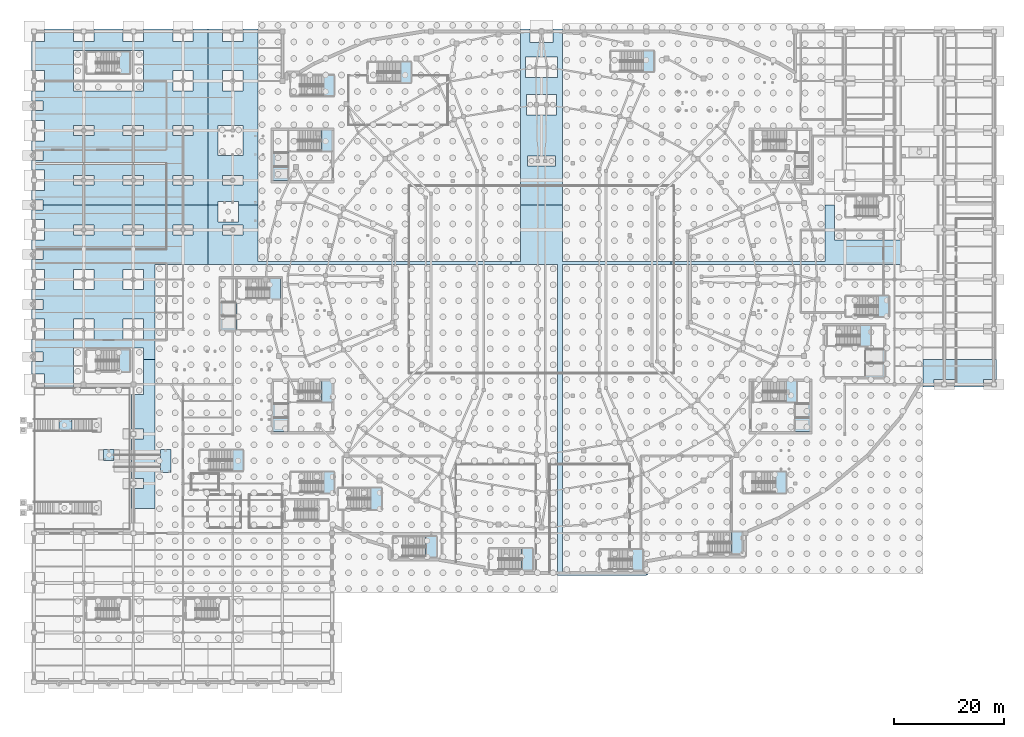
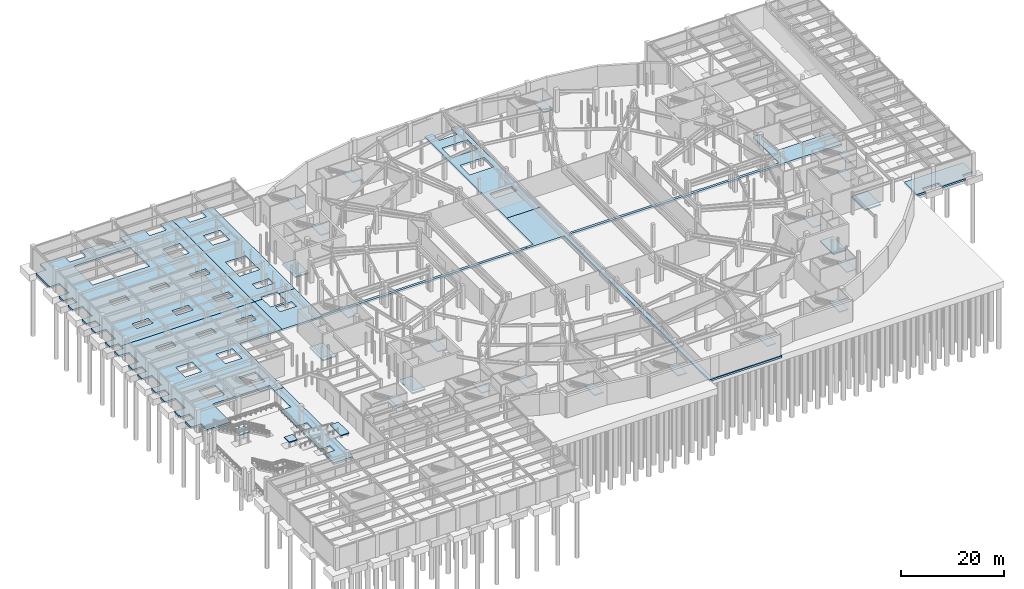
# One storey, part 39 of 56: 36 slabs, 22 elements without a shape of their own.
"""IFC4 building model written with IfcOpenShell, lengths in metres."""

from ifc_helpers import new_model, si_unit, direction, frame, origin, place, context, subcontext, project, spatial, polyline, outline, extrude, material, layer, layer_set, type_object, element, aggregate, save


model = new_model("IFC4")

# Units and contexts
model_context = context("Model", 3, precision=1e-05, world=origin(), true_north=direction((0.0, 1.0)))
body_context = subcontext(model_context, "Body", "Model", "MODEL_VIEW")
ifc_project = project(units=[si_unit("LENGTHUNIT", "METRE"), si_unit("AREAUNIT", "SQUARE_METRE"), si_unit("VOLUMEUNIT", "CUBIC_METRE"), si_unit("PLANEANGLEUNIT", "RADIAN"), si_unit("MASSUNIT", "GRAM", prefix="KILO")], contexts=[model_context])

# Site, building, storey
site_placement = place(None, origin())
site = spatial("IfcSite", under=ifc_project, at=site_placement, CompositionType="ELEMENT")
building_placement = place(site_placement, origin())
building = spatial("IfcBuilding", under=site, at=building_placement, Name="Glasvene Arena", CompositionType="ELEMENT")
storey_placement = place(building_placement, frame((0.0, 0.0, -5.39990234375)))
storey = spatial("IfcBuildingStorey", under=building, at=storey_placement, Name="B1", CompositionType="ELEMENT", Elevation=-5.39990234375)

# Slabs
ifc_material_1 = material(Name="Concrete C40/50", Category="concrete")
ifc_layer_1 = layer(ifc_material_1, 0.449951171875)
ifc_layer_set_1 = layer_set([ifc_layer_1], Name="Concrete C40/50")
slab_type_1 = type_object("IfcSlabType", Name="SL-B1-450", PredefinedType="BASESLAB", material=ifc_layer_set_1)
slab_1_placement = place(storey_placement, frame((19.164306640625, 43.449951171875, -0.4501953125)))
element("IfcSlab", 1, at=slab_1_placement, inside=storey, type_object=slab_type_1, Name="Structural floor slab B1 sector 2-1 (3)", PredefinedType="BASESLAB", context=body_context, shape_type="SweptSolid", body=[
    extrude(outline(polyline([(2.78564453125, -11.949951171875), (-1.6142578125, -11.949951171875), (-1.6142578125, -8.349853515625), (0.685791015625, -8.349853515625), (0.685791015625, -6.550048828125), (-1.6142578125, -6.550048828125), (-1.6142578125, 0.650146484375), (0.685791015625, 0.650146484375), (0.685791015625, 2.449951171875), (-1.6142578125, 2.449951171875), (-1.6142578125, 8.699951171875), (0.685791015625, 8.699951171875), (0.685791015625, 15.050048828125), (2.78564453125, 15.050048828125), (2.78564453125, -11.949951171875)])), origin(), (0.0, 0.0, 1.0), 0.4501953125),
])
slab_2_placement = place(storey_placement, frame((167.56005859375, 55.080078125, -0.4501953125)))
element("IfcSlab", 2, at=slab_2_placement, inside=storey, type_object=slab_type_1, Name="Structural floor slab B1 sector 2-6 (4)", PredefinedType="BASESLAB", context=body_context, shape_type="SweptSolid", body=[
    extrude(outline(polyline([(6.889892578125, -0.18017578125), (4.58984375, -0.18017578125), (4.58984375, -1.530029296875), (-0.7099609375, -1.530029296875), (-0.7099609375, -0.18017578125), (-4.41015625, -0.18017578125), (-4.41015625, -1.530029296875), (-6.360107421875, -1.530029296875), (-6.360107421875, 3.419921875), (6.889892578125, 3.419921875), (6.889892578125, -0.18017578125)])), origin(), (0.0, 0.0, 1.0), 0.4501953125),
])
slab_3_placement = place(storey_placement, frame((4.792724609375, 69.69873046875, -0.4501953125)))
element("IfcSlab", 3, at=slab_3_placement, inside=storey, type_object=slab_type_1, Name="Structural floor slab B1 sector 3-1 (5)", PredefinedType="BASESLAB", context=body_context, shape_type="SweptSolid", body=[
    extrude(outline(polyline([(-5.24267578125, -13.8486328125), (-5.24267578125, -11.5986328125), (-3.20263671875, -11.5986328125), (-3.20263671875, -9.798828125), (-5.24267578125, -9.798828125), (-5.24267578125, -7.548828125), (-2.942626953125, -7.548828125), (-2.942626953125, -3.8486328125), (-5.24267578125, -3.8486328125), (-5.24267578125, -2.0986328125), (-3.20263671875, -2.0986328125), (-3.20263671875, -0.298828125), (-5.24267578125, -0.298828125), (-5.24267578125, 1.451171875), (-2.942626953125, 1.451171875), (-2.942626953125, 5.1513671875), (-5.24267578125, 5.1513671875), (-5.24267578125, 6.9013671875), (-3.20263671875, 6.9013671875), (-3.20263671875, 8.701171875), (-5.24267578125, 8.701171875), (-5.24267578125, 10.451171875), (-2.942626953125, 10.451171875), (-2.942626953125, 14.1513671875), (-5.24267578125, 14.1513671875), (-5.24267578125, 15.9013671875), (-3.20263671875, 15.9013671875), (-3.20263671875, 16.80126953125), (26.707275390625, 16.80126953125), (26.707275390625, 6.025390625), (17.1572265625, 6.025390625), (17.1572265625, -11.19873046875), (15.057373046875, -11.19873046875), (15.057373046875, -9.148681640625), (2.357177734375, -9.148681640625), (2.357177734375, -16.148681640625), (-2.942626953125, -16.148681640625), (-2.942626953125, -13.8486328125), (-5.24267578125, -13.8486328125)]), holes=[polyline([(24.057373046875, 11.4013671875), (24.057373046875, 13.201171875), (20.357177734375, 13.201171875), (20.357177734375, 11.4013671875), (24.057373046875, 11.4013671875)]), polyline([(15.057373046875, -7.548828125), (15.057373046875, -3.8486328125), (11.357177734375, -3.8486328125), (11.357177734375, -7.548828125), (15.057373046875, -7.548828125)]), polyline([(15.057373046875, 1.451171875), (15.057373046875, 5.1513671875), (11.357177734375, 5.1513671875), (11.357177734375, 1.451171875), (15.057373046875, 1.451171875)]), polyline([(15.057373046875, 13.201171875), (11.357177734375, 13.201171875), (11.357177734375, 11.4013671875), (15.057373046875, 11.4013671875), (15.057373046875, 13.201171875)]), polyline([(6.057373046875, -7.548828125), (6.057373046875, -3.8486328125), (2.357177734375, -3.8486328125), (2.357177734375, -7.548828125), (6.057373046875, -7.548828125)]), polyline([(6.057373046875, 1.451171875), (6.057373046875, 5.1513671875), (2.357177734375, 5.1513671875), (2.357177734375, 1.451171875), (6.057373046875, 1.451171875)]), polyline([(6.057373046875, 11.4013671875), (6.057373046875, 13.201171875), (2.357177734375, 13.201171875), (2.357177734375, 11.4013671875), (6.057373046875, 11.4013671875)])]), origin(), (0.0, 0.0, 1.0), 0.4501953125),
])
slab_4_placement = place(storey_placement, frame((45.793212890625, 81.693603515625, -0.4501953125)))
element("IfcSlab", 4, at=slab_4_placement, inside=storey, type_object=slab_type_1, Name="Structural floor slab B1 sector 3-2 (6)", PredefinedType="BASESLAB", context=body_context, shape_type="SweptSolid", body=[
    extrude(outline(polyline([(40.706787109375, -5.969482421875), (-14.293212890625, -5.969482421875), (-14.293212890625, 4.806396484375), (-12.443115234375, 4.806396484375), (-12.443115234375, 1.75634765625), (-8.7431640625, 1.75634765625), (-8.7431640625, 4.806396484375), (-5.227294921875, 4.806396484375), (-5.227294921875, -5.399658203125), (40.706787109375, -5.399658203125), (40.706787109375, -5.969482421875)]), holes=[polyline([(-7.943115234375, 1.206298828125), (-11.643310546875, 1.206298828125), (-11.643310546875, -0.593505859375), (-7.943115234375, -0.593505859375), (-7.943115234375, 1.206298828125)])]), origin(), (0.0, 0.0, 1.0), 0.4501953125),
])
slab_5_placement = place(storey_placement, frame((104.210205078125, 42.022216796875, -0.4501953125)))
element("IfcSlab", 5, at=slab_5_placement, inside=storey, type_object=slab_type_1, Name="Structural floor slab B1 sector 3-4 (7)", PredefinedType="BASESLAB", context=body_context, shape_type="SweptSolid", body=[
    extrude(outline(polyline([(7.10546875, -22.39453125), (7.086669921875, -22.434326171875), (7.06396484375, -22.47216796875), (7.03759765625, -22.5078125), (7.008056640625, -22.54052734375), (6.975341796875, -22.570068359375), (6.939697265625, -22.596435546875), (6.90185546875, -22.619140625), (6.862060546875, -22.637939453125), (6.8203125, -22.65283203125), (6.777587890625, -22.66357421875), (6.73388671875, -22.669921875), (6.689697265625, -22.672119140625), (-9.316162109375, -22.672119140625), (-9.316162109375, 33.701904296875), (-17.710205078125, 33.701904296875), (-17.710205078125, 34.271728515625), (-16.018310546875, 34.271728515625), (-16.018310546875, 44.477783203125), (-8.402099609375, 44.477783203125), (-8.402099609375, 34.271728515625), (11.289794921875, 34.271728515625), (11.289794921875, 33.701904296875), (-8.402099609375, 33.701904296875), (-8.402099609375, -22.372314453125), (7.113525390625, -22.372314453125), (7.10546875, -22.39453125)])), origin(), (0.0, 0.0, 1.0), 0.4501953125),
])
slab_6_placement = place(storey_placement, frame((140.321044921875, 79.6669921875, -0.4501953125)))
element("IfcSlab", 6, at=slab_6_placement, inside=storey, type_object=slab_type_1, Name="Structural floor slab B1 sector 3-6 (9)", PredefinedType="BASESLAB", context=body_context, shape_type="SweptSolid", body=[
    extrude(outline(polyline([(16.87890625, -3.94287109375), (-24.821044921875, -3.94287109375), (-24.821044921875, -3.373046875), (3.113037109375, -3.373046875), (3.113037109375, 6.8330078125), (4.828857421875, 6.8330078125), (4.828857421875, 0.48291015625), (16.87890625, 0.48291015625), (16.87890625, -3.94287109375)])), origin(), (0.0, 0.0, 1.0), 0.4501953125),
])
slab_7_placement = place(storey_placement, frame((7.448486328125, 105.614990234375, -0.4501953125)))
element("IfcSlab", 7, at=slab_7_placement, inside=storey, type_object=slab_type_1, Name="Structural floor slab B1 sector 4-1 (10)", PredefinedType="BASESLAB", context=body_context, shape_type="SweptSolid", body=[
    extrude(outline(polyline([(-5.8583984375, -18.215087890625), (-7.8984375, -18.215087890625), (-7.8984375, -16.465087890625), (-5.598388671875, -16.465087890625), (-5.598388671875, -12.764892578125), (-7.8984375, -12.764892578125), (-7.8984375, -11.014892578125), (-5.8583984375, -11.014892578125), (-5.8583984375, -9.215087890625), (-7.8984375, -9.215087890625), (-7.8984375, -7.465087890625), (-5.598388671875, -7.465087890625), (-5.598388671875, -3.764892578125), (-7.8984375, -3.764892578125), (-7.8984375, -2.014892578125), (-5.8583984375, -2.014892578125), (-5.8583984375, -0.215087890625), (-7.8984375, -0.215087890625), (-7.8984375, 1.534912109375), (-5.598388671875, 1.534912109375), (-5.598388671875, 5.235107421875), (-7.8984375, 5.235107421875), (-7.8984375, 10.534912109375), (-5.598388671875, 10.534912109375), (-5.598388671875, 12.8349609375), (-0.298583984375, 12.8349609375), (-0.298583984375, 10.534912109375), (3.401611328125, 10.534912109375), (3.401611328125, 12.8349609375), (8.701416015625, 12.8349609375), (8.701416015625, 10.534912109375), (12.401611328125, 10.534912109375), (12.401611328125, 12.8349609375), (17.701416015625, 12.8349609375), (17.701416015625, 10.534912109375), (21.401611328125, 10.534912109375), (21.401611328125, 12.8349609375), (24.051513671875, 12.8349609375), (24.051513671875, -19.114990234375), (-5.8583984375, -19.114990234375), (-5.8583984375, -18.215087890625)]), holes=[polyline([(3.401611328125, -15.514892578125), (3.401611328125, -13.715087890625), (-0.298583984375, -13.715087890625), (-0.298583984375, -15.514892578125), (3.401611328125, -15.514892578125)]), polyline([(-0.298583984375, -6.514892578125), (3.401611328125, -6.514892578125), (3.401611328125, -4.715087890625), (-0.298583984375, -4.715087890625), (-0.298583984375, -6.514892578125)]), polyline([(8.701416015625, -15.514892578125), (12.401611328125, -15.514892578125), (12.401611328125, -13.715087890625), (8.701416015625, -13.715087890625), (8.701416015625, -15.514892578125)]), polyline([(8.701416015625, -6.514892578125), (12.401611328125, -6.514892578125), (12.401611328125, -4.715087890625), (8.701416015625, -4.715087890625), (8.701416015625, -6.514892578125)]), polyline([(17.701416015625, -6.514892578125), (21.401611328125, -6.514892578125), (21.401611328125, -4.715087890625), (17.701416015625, -4.715087890625), (17.701416015625, -6.514892578125)]), polyline([(17.701416015625, 1.534912109375), (21.401611328125, 1.534912109375), (21.401611328125, 5.235107421875), (17.701416015625, 5.235107421875), (17.701416015625, 1.534912109375)]), polyline([(-0.298583984375, 1.534912109375), (12.401611328125, 1.534912109375), (12.401611328125, 8.93505859375), (-0.298583984375, 8.93505859375), (-0.298583984375, 1.534912109375)]), polyline([(17.701416015625, -15.514892578125), (21.401611328125, -15.514892578125), (21.401611328125, -13.715087890625), (17.701416015625, -13.715087890625), (17.701416015625, -15.514892578125)])]), origin(), (0.0, 0.0, 1.0), 0.4501953125),
])
slab_8_placement = place(storey_placement, frame((35.744384765625, 102.199951171875, -0.4501953125)))
element("IfcSlab", 8, at=slab_8_placement, inside=storey, type_object=slab_type_1, Name="Structural floor slab B1 sector 4-2 (11)", PredefinedType="BASESLAB", context=body_context, shape_type="SweptSolid", body=[
    extrude(outline(polyline([(-1.594482421875, 16.25), (-1.594482421875, 13.949951171875), (2.105712890625, 13.949951171875), (2.105712890625, 16.25), (4.821533203125, 16.25), (4.821533203125, -15.699951171875), (1.3056640625, -15.699951171875), (1.3056640625, -15.050048828125), (-2.394287109375, -15.050048828125), (-2.394287109375, -15.699951171875), (-4.244384765625, -15.699951171875), (-4.244384765625, 16.25), (-1.594482421875, 16.25)]), holes=[polyline([(-1.594482421875, -12.099853515625), (2.105712890625, -12.099853515625), (2.105712890625, -10.300048828125), (-1.594482421875, -10.300048828125), (-1.594482421875, -12.099853515625)]), polyline([(-2.394287109375, -6.75), (2.105712890625, -6.75), (2.105712890625, -1.300048828125), (-2.394287109375, -1.300048828125), (-2.394287109375, -6.75)]), polyline([(-1.594482421875, 4.949951171875), (2.105712890625, 4.949951171875), (2.105712890625, 8.650146484375), (-1.594482421875, 8.650146484375), (-1.594482421875, 4.949951171875)])]), origin(), (0.0, 0.0, 1.0), 0.4501953125),
])
slab_9_placement = place(storey_placement, frame((92.0, 109.83740234375, -0.4501953125)))
element("IfcSlab", 9, at=slab_9_placement, inside=storey, type_object=slab_type_1, Name="Structural floor slab B1 sector 4-4 (12)", PredefinedType="BASESLAB", context=body_context, shape_type="SweptSolid", body=[
    extrude(outline(polyline([(-3.80810546875, 8.612548828125), (-2.050048828125, 8.612548828125), (-2.050048828125, 6.112548828125), (2.050048828125, 6.112548828125), (2.050048828125, 8.612548828125), (3.80810546875, 8.612548828125), (3.80810546875, -23.33740234375), (-3.80810546875, -23.33740234375), (-3.80810546875, 8.612548828125)]), holes=[polyline([(-2.508056640625, -16.243408203125), (2.508056640625, -16.243408203125), (2.508056640625, -14.4423828125), (-2.508056640625, -14.4423828125), (-2.508056640625, -16.243408203125)]), polyline([(-2.739013671875, -6.995361328125), (2.739013671875, -6.995361328125), (2.739013671875, -3.29541015625), (-2.739013671875, -3.29541015625), (-2.739013671875, -6.995361328125)]), polyline([(-2.89404296875, -0.197509765625), (2.89404296875, -0.197509765625), (2.89404296875, 3.502685546875), (-2.89404296875, 3.502685546875), (-2.89404296875, -0.197509765625)])]), origin(), (0.0, 0.0, 1.0), 0.4501953125),
])

# Stair, slab
stair_type_1 = type_object("IfcStairType", Name="ST-HT-540-170", PredefinedType="HALF_TURN_STAIR", material=ifc_material_1)
stair_1_placement = place(storey_placement, origin())
stair_1 = element("IfcStair", 10, at=stair_1_placement, inside=storey, type_object=stair_type_1, Name="Protected escape stair ST-01 (B1 to L00)", PredefinedType="HALF_TURN_STAIR")
ifc_layer_2 = layer(ifc_material_1, 0.219970703125)
ifc_layer_set_2 = layer_set([ifc_layer_2], Name="Concrete C40/50")
slab_type_2 = type_object("IfcSlabType", Name="SL-LAND-220", PredefinedType="LANDING", material=ifc_layer_set_2)
slab_10_placement = place(storey_placement, frame((53.050048828125, 98.175048828125, 2.47998046875)))
slab_10 = element("IfcSlab", 11, at=slab_10_placement, type_object=slab_type_2, Name="Protected escape stair ST-01 (B1 to L00) landing 1", PredefinedType="LANDING", context=body_context, shape_type="SweptSolid", body=[
    extrude(outline(polyline([(-1.0, -1.925048828125), (1.0, -1.925048828125), (1.0, 1.925048828125), (-1.0, 1.925048828125), (-1.0, -1.925048828125)])), origin(), (0.0, 0.0, 1.0), 0.219970703125),
])
aggregate(stair_1, [slab_10])

stair_2_placement = place(storey_placement, origin())
stair_2 = element("IfcStair", 12, at=stair_2_placement, inside=storey, type_object=stair_type_1, Name="Protected escape stair ST-03 (B1 to L00)", PredefinedType="HALF_TURN_STAIR")
slab_11_placement = place(storey_placement, frame((53.050048828125, 52.675048828125, 2.47998046875)))
slab_11 = element("IfcSlab", 13, at=slab_11_placement, type_object=slab_type_2, Name="Protected escape stair ST-03 (B1 to L00) landing 1", PredefinedType="LANDING", context=body_context, shape_type="SweptSolid", body=[
    extrude(outline(polyline([(-1.0, -1.925048828125), (1.0, -1.925048828125), (1.0, 1.925048828125), (-1.0, 1.925048828125), (-1.0, -1.925048828125)])), origin(), (0.0, 0.0, 1.0), 0.219970703125),
])
aggregate(stair_2, [slab_11])

stair_3_placement = place(storey_placement, origin())
stair_3 = element("IfcStair", 14, at=stair_3_placement, inside=storey, type_object=stair_type_1, Name="Protected escape stair ST-04 (B1 to L00)", PredefinedType="HALF_TURN_STAIR")
slab_12_placement = place(storey_placement, frame((137.300048828125, 52.675048828125, 2.47998046875)))
slab_12 = element("IfcSlab", 15, at=slab_12_placement, type_object=slab_type_2, Name="Protected escape stair ST-04 (B1 to L00) landing 1", PredefinedType="LANDING", context=body_context, shape_type="SweptSolid", body=[
    extrude(outline(polyline([(-1.0, -1.925048828125), (1.0, -1.925048828125), (1.0, 1.925048828125), (-1.0, 1.925048828125), (-1.0, -1.925048828125)])), origin(), (0.0, 0.0, 1.0), 0.219970703125),
])
aggregate(stair_3, [slab_12])

stair_4_placement = place(storey_placement, origin())
stair_4 = element("IfcStair", 16, at=stair_4_placement, inside=storey, type_object=stair_type_1, Name="Protected escape stair ST-05 (B1 to L00)", PredefinedType="HALF_TURN_STAIR")
slab_13_placement = place(storey_placement, frame((53.39990234375, 36.22509765625, 2.47998046875)))
slab_13 = element("IfcSlab", 17, at=slab_13_placement, type_object=slab_type_2, Name="Protected escape stair ST-05 (B1 to L00) landing 1", PredefinedType="LANDING", context=body_context, shape_type="SweptSolid", body=[
    extrude(outline(polyline([(-1.0, -1.925048828125), (1.0, -1.925048828125), (1.0, 1.9248046875), (-1.0, 1.9248046875), (-1.0, -1.925048828125)])), origin(), (0.0, 0.0, 1.0), 0.219970703125),
])
aggregate(stair_4, [slab_13])

stair_5_placement = place(storey_placement, origin())
stair_5 = element("IfcStair", 18, at=stair_5_placement, inside=storey, type_object=stair_type_1, Name="Protected escape stair ST-06 (B1 to L00)", PredefinedType="HALF_TURN_STAIR")
slab_14_placement = place(storey_placement, frame((135.39990234375, 36.22509765625, 2.47998046875)))
slab_14 = element("IfcSlab", 19, at=slab_14_placement, type_object=slab_type_2, Name="Protected escape stair ST-06 (B1 to L00) landing 1", PredefinedType="LANDING", context=body_context, shape_type="SweptSolid", body=[
    extrude(outline(polyline([(-1.0, -1.925048828125), (1.0, -1.925048828125), (1.0, 1.9248046875), (-1.0, 1.9248046875), (-1.0, -1.925048828125)])), origin(), (0.0, 0.0, 1.0), 0.219970703125),
])
aggregate(stair_5, [slab_14])

stair_type_2 = type_object("IfcStairType", Name="ST-HT-540-165", PredefinedType="HALF_TURN_STAIR", material=ifc_material_1)
stair_6_placement = place(storey_placement, origin())
stair_6 = element("IfcStair", 20, at=stair_6_placement, inside=storey, type_object=stair_type_2, Name="Protected escape stair ST-07 (B1 to L00)", PredefinedType="HALF_TURN_STAIR")
slab_15_placement = place(storey_placement, frame((43.64990234375, 71.324951171875, 2.47998046875)))
slab_15 = element("IfcSlab", 21, at=slab_15_placement, type_object=slab_type_2, Name="Protected escape stair ST-07 (B1 to L00) landing 1", PredefinedType="LANDING", context=body_context, shape_type="SweptSolid", body=[
    extrude(outline(polyline([(-1.0, -1.875), (1.0, -1.875), (1.0, 1.875), (-1.0, 1.875), (-1.0, -1.875)])), origin(), (0.0, 0.0, 1.0), 0.219970703125),
])
aggregate(stair_6, [slab_15])

stair_7_placement = place(storey_placement, origin())
stair_7 = element("IfcStair", 22, at=stair_7_placement, inside=storey, type_object=stair_type_2, Name="Protected escape stair ST-08 (B1 to L00)", PredefinedType="HALF_TURN_STAIR")
slab_16_placement = place(storey_placement, frame((72.0, 24.574951171875, 2.47998046875)))
slab_16 = element("IfcSlab", 23, at=slab_16_placement, type_object=slab_type_2, Name="Protected escape stair ST-08 (B1 to L00) landing 1", PredefinedType="LANDING", context=body_context, shape_type="SweptSolid", body=[
    extrude(outline(polyline([(-1.0, -1.875), (1.0, -1.875), (1.0, 1.875), (-1.0, 1.875), (-1.0, -1.875)])), origin(), (0.0, 0.0, 1.0), 0.219970703125),
])
aggregate(stair_7, [slab_16])

stair_8_placement = place(storey_placement, origin())
stair_8 = element("IfcStair", 24, at=stair_8_placement, inside=storey, type_object=stair_type_2, Name="Protected escape stair ST-09 (B1 to L00)", PredefinedType="HALF_TURN_STAIR")
slab_17_placement = place(storey_placement, frame((109.39990234375, 22.175048828125, 2.47998046875)))
slab_17 = element("IfcSlab", 25, at=slab_17_placement, type_object=slab_type_2, Name="Protected escape stair ST-09 (B1 to L00) landing 1", PredefinedType="LANDING", context=body_context, shape_type="SweptSolid", body=[
    extrude(outline(polyline([(-1.0, -1.875), (1.0, -1.875), (1.0, 1.875), (-1.0, 1.875), (-1.0, -1.875)])), origin(), (0.0, 0.0, 1.0), 0.219970703125),
])
aggregate(stair_8, [slab_17])

stair_9_placement = place(storey_placement, origin())
stair_9 = element("IfcStair", 26, at=stair_9_placement, inside=storey, type_object=stair_type_2, Name="Protected escape stair ST-10 (B1 to L00)", PredefinedType="HALF_TURN_STAIR")
slab_18_placement = place(storey_placement, frame((67.39990234375, 110.574951171875, 2.47998046875)))
slab_18 = element("IfcSlab", 27, at=slab_18_placement, type_object=slab_type_2, Name="Protected escape stair ST-10 (B1 to L00) landing 1", PredefinedType="LANDING", context=body_context, shape_type="SweptSolid", body=[
    extrude(outline(polyline([(-1.0, -1.875), (1.0, -1.875), (1.0, 1.875), (-1.0, 1.875), (-1.0, -1.875)])), origin(), (0.0, 0.0, 1.0), 0.219970703125),
])
aggregate(stair_9, [slab_18])

stair_10_placement = place(storey_placement, origin())
stair_10 = element("IfcStair", 28, at=stair_10_placement, inside=storey, type_object=stair_type_2, Name="Protected escape stair ST-11 (B1 to L00)", PredefinedType="HALF_TURN_STAIR")
slab_19_placement = place(storey_placement, frame((111.39990234375, 112.574951171875, 2.47998046875)))
slab_19 = element("IfcSlab", 29, at=slab_19_placement, type_object=slab_type_2, Name="Protected escape stair ST-11 (B1 to L00) landing 1", PredefinedType="LANDING", context=body_context, shape_type="SweptSolid", body=[
    extrude(outline(polyline([(-1.0, -1.875), (1.0, -1.875), (1.0, 1.875), (-1.0, 1.875), (-1.0, -1.875)])), origin(), (0.0, 0.0, 1.0), 0.219970703125),
])
aggregate(stair_10, [slab_19])

stair_11_placement = place(storey_placement, origin())
stair_11 = element("IfcStair", 30, at=stair_11_placement, inside=storey, type_object=stair_type_2, Name="Protected escape stair ST-12 (B1 to L00)", PredefinedType="HALF_TURN_STAIR")
slab_20_placement = place(storey_placement, frame((53.39990234375, 108.175048828125, 2.47998046875)))
slab_20 = element("IfcSlab", 31, at=slab_20_placement, type_object=slab_type_2, Name="Protected escape stair ST-12 (B1 to L00) landing 1", PredefinedType="LANDING", context=body_context, shape_type="SweptSolid", body=[
    extrude(outline(polyline([(-1.0, -1.875), (1.0, -1.875), (1.0, 1.875), (-1.0, 1.875), (-1.0, -1.875)])), origin(), (0.0, 0.0, 1.0), 0.219970703125),
])
aggregate(stair_11, [slab_20])

stair_type_3 = type_object("IfcStairType", Name="ST-HT-540-175", PredefinedType="HALF_TURN_STAIR", material=ifc_material_1)
stair_12_placement = place(storey_placement, origin())
stair_12 = element("IfcStair", 32, at=stair_12_placement, inside=storey, type_object=stair_type_3, Name="Protected escape stair ST-13 (B1 to L00)", PredefinedType="HALF_TURN_STAIR")
slab_21_placement = place(storey_placement, frame((16.39990234375, 58.27490234375, 2.47998046875)))
slab_21 = element("IfcSlab", 33, at=slab_21_placement, type_object=slab_type_2, Name="Protected escape stair ST-13 (B1 to L00) landing 1", PredefinedType="LANDING", context=body_context, shape_type="SweptSolid", body=[
    extrude(outline(polyline([(-1.0, -1.974853515625), (1.0, -1.974853515625), (1.0, 1.97509765625), (-1.0, 1.97509765625), (-1.0, -1.974853515625)])), origin(), (0.0, 0.0, 1.0), 0.219970703125),
])
aggregate(stair_12, [slab_21])

stair_13_placement = place(storey_placement, origin())
stair_13 = element("IfcStair", 34, at=stair_13_placement, inside=storey, type_object=stair_type_3, Name="Protected escape stair ST-14 (B1 to L00)", PredefinedType="HALF_TURN_STAIR")
slab_22_placement = place(storey_placement, frame((16.39990234375, 112.27490234375, 2.47998046875)))
slab_22 = element("IfcSlab", 35, at=slab_22_placement, type_object=slab_type_2, Name="Protected escape stair ST-14 (B1 to L00) landing 1", PredefinedType="LANDING", context=body_context, shape_type="SweptSolid", body=[
    extrude(outline(polyline([(-1.0, -1.974853515625), (1.0, -1.974853515625), (1.0, 1.97509765625), (-1.0, 1.97509765625), (-1.0, -1.974853515625)])), origin(), (0.0, 0.0, 1.0), 0.219970703125),
])
aggregate(stair_13, [slab_22])

stair_14_placement = place(storey_placement, origin())
stair_14 = element("IfcStair", 36, at=stair_14_placement, inside=storey, type_object=stair_type_1, Name="Protected escape stair ST-15 (B1 to L00)", PredefinedType="HALF_TURN_STAIR")
slab_23_placement = place(storey_placement, frame((36.89990234375, 40.22509765625, 2.47998046875)))
slab_23 = element("IfcSlab", 37, at=slab_23_placement, type_object=slab_type_2, Name="Protected escape stair ST-15 (B1 to L00) landing 1", PredefinedType="LANDING", context=body_context, shape_type="SweptSolid", body=[
    extrude(outline(polyline([(-1.0, -1.925048828125), (1.0, -1.925048828125), (1.0, 1.9248046875), (-1.0, 1.9248046875), (-1.0, -1.925048828125)])), origin(), (0.0, 0.0, 1.0), 0.219970703125),
])
aggregate(stair_14, [slab_23])

stair_15_placement = place(storey_placement, origin())
stair_15 = element("IfcStair", 38, at=stair_15_placement, inside=storey, type_object=stair_type_2, Name="Protected escape stair ST-B01 (B1 to L00)", PredefinedType="HALF_TURN_STAIR")
slab_24_placement = place(storey_placement, frame((150.699951171875, 62.824951171875, 2.47998046875)))
slab_24 = element("IfcSlab", 39, at=slab_24_placement, type_object=slab_type_2, Name="Protected escape stair ST-B01 (B1 to L00) landing 1", PredefinedType="LANDING", context=body_context, shape_type="SweptSolid", body=[
    extrude(outline(polyline([(-1.0, -1.875), (1.0, -1.875), (1.0, 1.875), (-1.0, 1.875), (-1.0, -1.875)])), origin(), (0.0, 0.0, 1.0), 0.219970703125),
])
aggregate(stair_15, [slab_24])

stair_16_placement = place(storey_placement, origin())
stair_16 = element("IfcStair", 40, at=stair_16_placement, inside=storey, type_object=stair_type_2, Name="Protected escape stair ST-B04 (B1 to L00)", PredefinedType="HALF_TURN_STAIR")
slab_25_placement = place(storey_placement, frame((154.0, 68.175048828125, 2.47998046875)))
slab_25 = element("IfcSlab", 41, at=slab_25_placement, type_object=slab_type_2, Name="Protected escape stair ST-B04 (B1 to L00) landing 1", PredefinedType="LANDING", context=body_context, shape_type="SweptSolid", body=[
    extrude(outline(polyline([(-1.0, -1.875), (1.0, -1.875), (1.0, 1.875), (-1.0, 1.875), (-1.0, -1.875)])), origin(), (0.0, 0.0, 1.0), 0.219970703125),
])
aggregate(stair_16, [slab_25])

stair_17_placement = place(storey_placement, origin())
stair_17 = element("IfcStair", 42, at=stair_17_placement, inside=storey, type_object=stair_type_3, Name="Protected escape stair ST-B06 (B1 to L00)", PredefinedType="HALF_TURN_STAIR")
slab_26_placement = place(storey_placement, frame((62.0, 33.27490234375, 2.47998046875)))
slab_26 = element("IfcSlab", 43, at=slab_26_placement, type_object=slab_type_2, Name="Protected escape stair ST-B06 (B1 to L00) landing 1", PredefinedType="LANDING", context=body_context, shape_type="SweptSolid", body=[
    extrude(outline(polyline([(-1.0, -1.974853515625), (1.0, -1.974853515625), (1.0, 1.97509765625), (-1.0, 1.97509765625), (-1.0, -1.974853515625)])), origin(), (0.0, 0.0, 1.0), 0.219970703125),
])
aggregate(stair_17, [slab_26])

stair_18_placement = place(storey_placement, origin())
stair_18 = element("IfcStair", 44, at=stair_18_placement, inside=storey, type_object=stair_type_3, Name="Protected escape stair ST-B07 (B1 to L00)", PredefinedType="HALF_TURN_STAIR")
slab_27_placement = place(storey_placement, frame((127.39990234375, 25.27490234375, 2.47998046875)))
slab_27 = element("IfcSlab", 45, at=slab_27_placement, type_object=slab_type_2, Name="Protected escape stair ST-B07 (B1 to L00) landing 1", PredefinedType="LANDING", context=body_context, shape_type="SweptSolid", body=[
    extrude(outline(polyline([(-1.0, -1.974853515625), (1.0, -1.974853515625), (1.0, 1.97509765625), (-1.0, 1.97509765625), (-1.0, -1.974853515625)])), origin(), (0.0, 0.0, 1.0), 0.219970703125),
])
aggregate(stair_18, [slab_27])

stair_19_placement = place(storey_placement, origin())
stair_19 = element("IfcStair", 46, at=stair_19_placement, inside=storey, type_object=stair_type_3, Name="Protected escape stair ST-B08 (B1 to L00)", PredefinedType="HALF_TURN_STAIR")
slab_28_placement = place(storey_placement, frame((89.39990234375, 22.27490234375, 2.47998046875)))
slab_28 = element("IfcSlab", 47, at=slab_28_placement, type_object=slab_type_2, Name="Protected escape stair ST-B08 (B1 to L00) landing 1", PredefinedType="LANDING", context=body_context, shape_type="SweptSolid", body=[
    extrude(outline(polyline([(-1.0, -1.974853515625), (1.0, -1.974853515625), (1.0, 1.97509765625), (-1.0, 1.97509765625), (-1.0, -1.974853515625)])), origin(), (0.0, 0.0, 1.0), 0.219970703125),
])
aggregate(stair_19, [slab_28])

ifc_material_2 = material(Name="Precast concrete C50/60", Category="concrete")
stair_type_4 = type_object("IfcStairType", Name="ST-SR-MET-PLZ", PredefinedType="STRAIGHT_RUN_STAIR", material=ifc_material_2)
stair_20_placement = place(storey_placement, origin())
stair_20 = element("IfcStair", 48, at=stair_20_placement, inside=storey, type_object=stair_type_4, Name="Metro forecourt plaza grand stair 2", PredefinedType="STRAIGHT_RUN_STAIR")
slab_29_placement = place(storey_placement, frame((5.675048828125, 46.60009765625, 2.47998046875)))
slab_29 = element("IfcSlab", 49, at=slab_29_placement, type_object=slab_type_2, Name="Metro forecourt plaza grand stair 2 landing 1", PredefinedType="LANDING", context=body_context, shape_type="SweptSolid", body=[
    extrude(outline(polyline([(-1.175048828125, -1.10009765625), (1.175048828125, -1.10009765625), (1.175048828125, 1.099853515625), (-1.175048828125, 1.099853515625), (-1.175048828125, -1.10009765625)])), origin(), (0.0, 0.0, 1.0), 0.219970703125),
])
aggregate(stair_20, [slab_29])

# Ramp, slab
ramp_type = type_object("IfcRampType", Name="RP-PED-180", PredefinedType="STRAIGHT_RUN_RAMP", material=ifc_material_1)
ramp_1_placement = place(storey_placement, origin())
ramp_1 = element("IfcRamp", 50, at=ramp_1_placement, inside=storey, type_object=ramp_type, Name="Accessible 1:12 pedestrian ramp RP-P3", PredefinedType="STRAIGHT_RUN_RAMP")
ifc_layer_3 = layer(ifc_material_1, 0.25)
ifc_layer_set_3 = layer_set([ifc_layer_3], Name="Concrete C40/50")
slab_type_3 = type_object("IfcSlabType", Name="SL-LAND-250", PredefinedType="LANDING", material=ifc_layer_set_3)
slab_30_placement = place(storey_placement, frame((23.85009765625, 40.10009765625, 0.449951171875)))
slab_30 = element("IfcSlab", 51, at=slab_30_placement, type_object=slab_type_3, Name="Accessible 1:12 pedestrian ramp RP-P3 landing 1", PredefinedType="LANDING", context=body_context, shape_type="SweptSolid", body=[
    extrude(outline(polyline([(-0.9501953125, -2.10009765625), (0.949951171875, -2.10009765625), (0.949951171875, 2.099853515625), (-0.9501953125, 2.099853515625), (-0.9501953125, -2.10009765625)])), origin(), (0.0, 0.0, 1.0), 0.25),
])
aggregate(ramp_1, [slab_30])

ramp_2_placement = place(storey_placement, origin())
ramp_2 = element("IfcRamp", 52, at=ramp_2_placement, inside=storey, type_object=ramp_type, Name="Accessible 1:12 pedestrian ramp RP-P4", PredefinedType="STRAIGHT_RUN_RAMP")
slab_31_placement = place(storey_placement, frame((13.550048828125, 41.199951171875, 1.14990234375)))
slab_31 = element("IfcSlab", 53, at=slab_31_placement, type_object=slab_type_3, Name="Accessible 1:12 pedestrian ramp RP-P4 landing 1", PredefinedType="LANDING", context=body_context, shape_type="SweptSolid", body=[
    extrude(outline(polyline([(-0.949951171875, -1.0), (0.949951171875, -1.0), (0.949951171875, 1.0), (-0.949951171875, 1.0), (-0.949951171875, -1.0)])), origin(), (0.0, 0.0, 1.0), 0.25),
])
aggregate(ramp_2, [slab_31])

# Slabs
ifc_layer_4 = layer(ifc_material_1, 0.300048828125)
ifc_layer_set_4 = layer_set([ifc_layer_4], Name="Concrete C40/50")
slab_type_4 = type_object("IfcSlabType", Name="SL-PIT-300", PredefinedType="BASESLAB", material=ifc_layer_set_4)
for number, where, name in (
    (54, (44.77490234375, 93.52490234375, -1.2001953125), "Core C1 lift pit base slab"),
    (55, (44.77490234375, 48.02490234375, -1.2001953125), "Core C3 lift pit base slab"),
):
    element("IfcSlab", number, at=place(storey_placement, frame(where)), inside=storey, type_object=slab_type_4, Name=name, PredefinedType="BASESLAB", context=body_context, shape_type="SweptSolid", body=[
        extrude(outline(polyline([(-1.474853515625, -2.574951171875), (1.47509765625, -2.574951171875), (1.47509765625, 2.5751953125), (-1.474853515625, 2.5751953125), (-1.474853515625, -2.574951171875)])), origin(), (0.0, 0.0, 1.0), 0.300048828125),
    ])
slab_32_placement = place(storey_placement, frame((139.22509765625, 48.02490234375, -1.2001953125)))
element("IfcSlab", 56, at=slab_32_placement, inside=storey, type_object=slab_type_4, Name="Core C4 lift pit base slab", PredefinedType="BASESLAB", context=body_context, shape_type="SweptSolid", body=[
    extrude(outline(polyline([(-1.47509765625, -2.574951171875), (1.474853515625, -2.574951171875), (1.474853515625, 2.5751953125), (-1.47509765625, 2.5751953125), (-1.47509765625, -2.574951171875)])), origin(), (0.0, 0.0, 1.0), 0.300048828125),
])
slab_33_placement = place(storey_placement, frame((35.27490234375, 66.425048828125, -1.2001953125)))
element("IfcSlab", 57, at=slab_33_placement, inside=storey, type_object=slab_type_4, Name="Core C5 lift pit base slab", PredefinedType="BASESLAB", context=body_context, shape_type="SweptSolid", body=[
    extrude(outline(polyline([(-1.474853515625, -2.574951171875), (1.47509765625, -2.574951171875), (1.47509765625, 2.574951171875), (-1.474853515625, 2.574951171875), (-1.474853515625, -2.574951171875)])), origin(), (0.0, 0.0, 1.0), 0.300048828125),
])
slab_34_placement = place(storey_placement, frame((152.375, 57.925048828125, -1.2001953125)))
element("IfcSlab", 58, at=slab_34_placement, inside=storey, type_object=slab_type_4, Name="Core C6 lift pit base slab", PredefinedType="BASESLAB", context=body_context, shape_type="SweptSolid", body=[
    extrude(outline(polyline([(-1.824951171875, -2.574951171875), (1.824951171875, -2.574951171875), (1.824951171875, 2.574951171875), (-1.824951171875, 2.574951171875), (-1.824951171875, -2.574951171875)])), origin(), (0.0, 0.0, 1.0), 0.300048828125),
])

save(model, "model.ifc")
